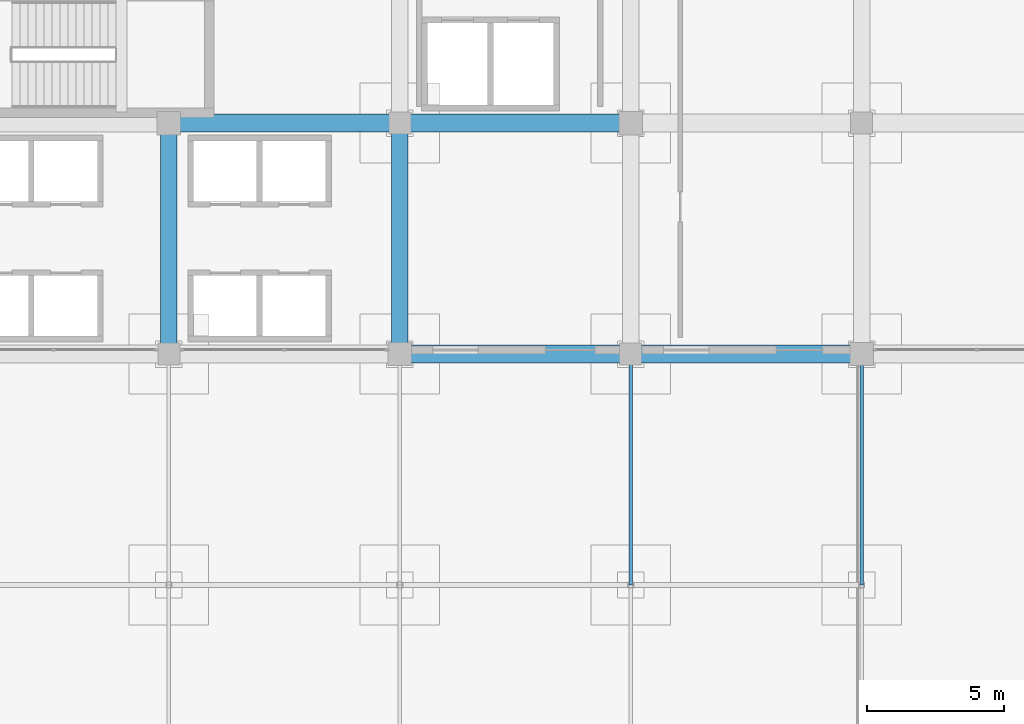
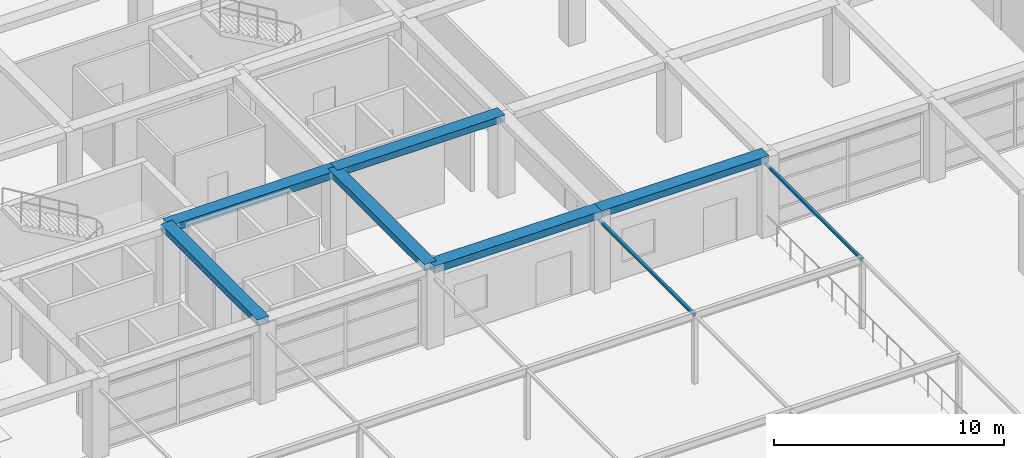
# One storey, part 54 of 85: 6 beams, 2 members.
"""IFC4 building model written with IfcOpenShell, lengths in metres."""

from ifc_helpers import new_model, si_unit, direction, frame, origin, origin_2d, place, context, subcontext, project, spatial, rectangle, hollow_rectangle, extrude, material, material_profile, profile_set, type_object, element, save


model = new_model("IFC4")

# Units and contexts
model_context = context("Model", 3, precision=1e-05, world=origin(), true_north=direction((0.0, 1.0)))
body_context = subcontext(model_context, "Body", "Model", "MODEL_VIEW")
ifc_project = project(units=[si_unit("LENGTHUNIT", "METRE"), si_unit("AREAUNIT", "SQUARE_METRE"), si_unit("VOLUMEUNIT", "CUBIC_METRE"), si_unit("PLANEANGLEUNIT", "RADIAN"), si_unit("MASSUNIT", "GRAM", prefix="KILO")], contexts=[model_context])

# Site, building, storey
site_placement = place(None, origin())
site = spatial("IfcSite", under=ifc_project, at=site_placement, CompositionType="ELEMENT")
building_placement = place(site_placement, origin())
building = spatial("IfcBuilding", under=site, at=building_placement, Name="Almacenes y Pasaje Nevantli", CompositionType="ELEMENT")
storey_placement = place(building_placement, frame((0.0, 0.0, 22.199951171875)))
storey = spatial("IfcBuildingStorey", under=building, at=storey_placement, Name="L05", CompositionType="ELEMENT", Elevation=22.199951171875)

# Beams
ifc_material_1 = material(Name="Concrete C35/45", Category="concrete")
ifc_material_profile_1 = material_profile(ifc_material_1, rectangle(XDim=0.60009765625, YDim=0.320068359375, at=origin_2d()), Name="RC-BM-600x320")
ifc_profile_set_1 = profile_set([ifc_material_profile_1], Name="Concrete C35/45")
beam_type_1 = type_object("IfcBeamType", Name="BM-RC-600x320", PredefinedType="BEAM", material=ifc_profile_set_1)
beam_1_placement = place(storey_placement, frame((126.0, 67.199951171875, 4.06005859375), z_axis=(0.0, 1.0, 0.0), x_axis=(-1.0, 0.0, 0.0)))
element("IfcBeam", 1, at=beam_1_placement, inside=storey, type_object=beam_type_1, Name="L05 North-South Reinforced Concrete Beam #3516", PredefinedType="BEAM", context=body_context, shape_type="SweptSolid", body=[
    extrude(rectangle(XDim=0.60009765625, YDim=0.320068359375, at=origin_2d()), origin(), (0.0, 0.0, 1.0), 8.400146484375),
])
ifc_material_2 = material(Name="Concrete C35/45", Category="concrete")
ifc_material_profile_2 = material_profile(ifc_material_2, rectangle(XDim=0.60009765625, YDim=0.340087890625, at=origin_2d()), Name="RC-BM-600x340")
ifc_profile_set_2 = profile_set([ifc_material_profile_2], Name="Concrete C35/45")
beam_type_2 = type_object("IfcBeamType", Name="BM-RC-600x340", PredefinedType="BEAM", material=ifc_profile_set_2)
beam_2_placement = place(storey_placement, frame((134.39990234375, 67.199951171875, 4.050048828125), z_axis=(0.0, 1.0, 0.0), x_axis=(-1.0, 0.0, 0.0)))
element("IfcBeam", 2, at=beam_2_placement, inside=storey, type_object=beam_type_2, Name="L05 North-South Reinforced Concrete Beam #3523", PredefinedType="BEAM", context=body_context, shape_type="SweptSolid", body=[
    extrude(rectangle(XDim=0.60009765625, YDim=0.340087890625, at=origin_2d()), origin(), (0.0, 0.0, 1.0), 8.400146484375),
])
ifc_material_3 = material(Name="Concrete C35/45", Category="concrete")
ifc_material_profile_3 = material_profile(ifc_material_3, rectangle(XDim=0.64990234375, YDim=0.35009765625, at=origin_2d()), Name="RC-BM-650x350")
ifc_profile_set_3 = profile_set([ifc_material_profile_3], Name="Concrete C35/45")
beam_type_3 = type_object("IfcBeamType", Name="BM-RC-650x350", PredefinedType="BEAM", material=ifc_profile_set_3)
beam_3_placement = place(storey_placement, frame((142.800048828125, 67.199951171875, 4.045166015625), z_axis=(1.0, 0.0, 0.0), x_axis=(0.0, 1.0, 0.0)))
element("IfcBeam", 3, at=beam_3_placement, inside=storey, type_object=beam_type_3, Name="L05 East-West Reinforced Concrete Beam #3317", PredefinedType="BEAM", context=body_context, shape_type="SweptSolid", body=[
    extrude(rectangle(XDim=0.64990234375, YDim=0.35009765625, at=origin_2d()), origin(), (0.0, 0.0, 1.0), 8.39990234375),
])
beam_4_placement = place(storey_placement, frame((134.39990234375, 75.60009765625, 4.045166015625), z_axis=(1.0, 0.0, 0.0), x_axis=(0.0, 1.0, 0.0)))
element("IfcBeam", 4, at=beam_4_placement, inside=storey, type_object=beam_type_3, Name="L05 East-West Reinforced Concrete Beam #3333", PredefinedType="BEAM", context=body_context, shape_type="SweptSolid", body=[
    extrude(rectangle(XDim=0.64990234375, YDim=0.35009765625, at=origin_2d()), origin(), (0.0, 0.0, 1.0), 8.400146484375),
])
ifc_material_4 = material(Name="Concrete C35/45", Category="concrete")
ifc_material_profile_4 = material_profile(ifc_material_4, rectangle(XDim=0.64990234375, YDim=0.3798828125, at=origin_2d()), Name="RC-BM-650x380")
ifc_profile_set_4 = profile_set([ifc_material_profile_4], Name="Concrete C35/45")
beam_type_4 = type_object("IfcBeamType", Name="BM-RC-650x380", PredefinedType="BEAM", material=ifc_profile_set_4)
beam_5_placement = place(storey_placement, frame((134.39990234375, 67.199951171875, 4.030029296875), z_axis=(1.0, 0.0, 0.0), x_axis=(0.0, 1.0, 0.0)))
element("IfcBeam", 5, at=beam_5_placement, inside=storey, type_object=beam_type_4, Name="L05 East-West Reinforced Concrete Beam #3316", PredefinedType="BEAM", context=body_context, shape_type="SweptSolid", body=[
    extrude(rectangle(XDim=0.64990234375, YDim=0.3798828125, at=origin_2d()), origin(), (0.0, 0.0, 1.0), 8.400146484375),
])
beam_6_placement = place(storey_placement, frame((126.0, 75.60009765625, 4.030029296875), z_axis=(1.0, 0.0, 0.0), x_axis=(0.0, 1.0, 0.0)))
element("IfcBeam", 6, at=beam_6_placement, inside=storey, type_object=beam_type_4, Name="L05 East-West Reinforced Concrete Beam #3332", PredefinedType="BEAM", context=body_context, shape_type="SweptSolid", body=[
    extrude(rectangle(XDim=0.64990234375, YDim=0.3798828125, at=origin_2d()), origin(), (0.0, 0.0, 1.0), 8.39990234375),
])

# Members
ifc_material_5 = material(Name="Steel ASTM A500 Grade C", Category="steel")
ifc_material_profile_5 = material_profile(ifc_material_5, hollow_rectangle(XDim=0.126953125, YDim=0.126953125, WallThickness=0.00634765625, at=origin_2d()), Name="OR 127x127x6.4")
ifc_profile_set_5 = profile_set([ifc_material_profile_5], Name="Steel ASTM A500 Grade C")
member_type = type_object("IfcMemberType", Name="MBR-PUR-OR127x127", PredefinedType="PURLIN", material=ifc_profile_set_5)
for number, where, z_axis, x_axis, name in (
    (7, (142.800048828125, 58.800048828125, 3.60009765625), (0.0, 1.0, 0.0), (-1.0, 0.0, 0.0), "L05 Ziggurat Terrace Pergola Steel Tie #40"),
    (8, (151.199951171875, 58.800048828125, 3.60009765625), (0.0, 1.0, 0.0), (-1.0, 0.0, 0.0), "L05 Ziggurat Terrace Pergola Steel Tie #45"),
):
    element("IfcMember", number, at=place(storey_placement, frame(where, z_axis=z_axis, x_axis=x_axis)), inside=storey, type_object=member_type, Name=name, PredefinedType="PURLIN", context=body_context, shape_type="SweptSolid", body=[
        extrude(hollow_rectangle(XDim=0.126953125, YDim=0.126953125, WallThickness=0.00634765625, at=origin_2d()), origin(), (0.0, 0.0, 1.0), 8.39990234375),
    ])

save(model, "model.ifc")
